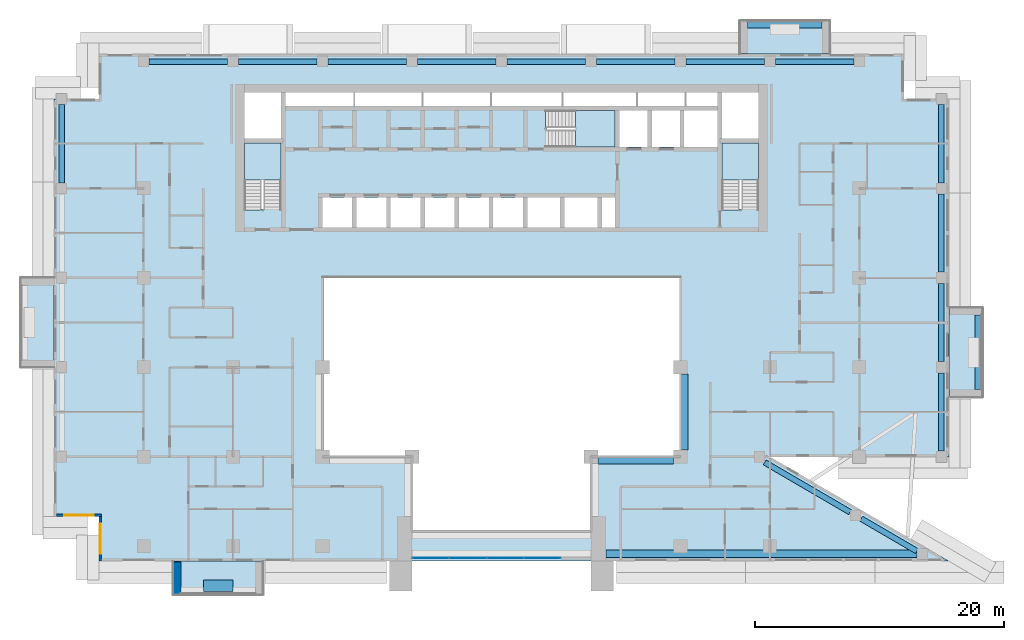
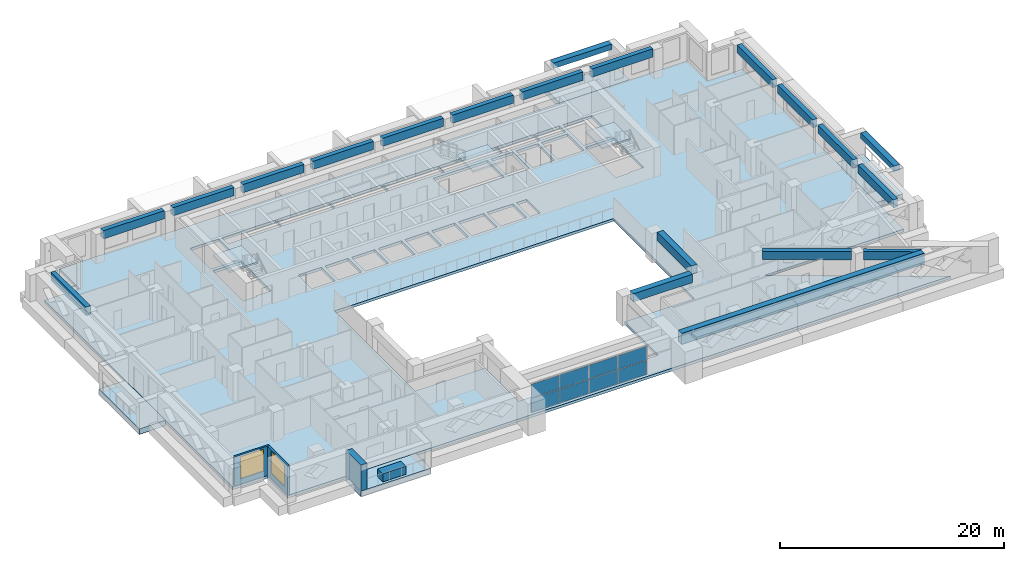
# One storey, part 5 of 19: 20 beams, 8 plates, 8 slabs, 4 walls, 2 windows, 2 openings, 4 elements without a shape of their own.
"""IFC4 building model written with IfcOpenShell, lengths in metres."""

from ifc_helpers import new_model, si_unit, direction, frame, frame_2d, origin, origin_2d, place, context, subcontext, project, spatial, polyline, rectangle, outline, extrude, source, transform, mapped, material, layer, layer_set, material_profile, profile_set, type_object, element, fill, aggregate, save


model = new_model("IFC4")

# Units and contexts
model_context = context("Model", 3, precision=1e-05, world=origin(), true_north=direction((0.0, 1.0)))
body_context = subcontext(model_context, "Body", "Model", "MODEL_VIEW")
ifc_project = project(units=[si_unit("LENGTHUNIT", "METRE"), si_unit("AREAUNIT", "SQUARE_METRE"), si_unit("VOLUMEUNIT", "CUBIC_METRE"), si_unit("PLANEANGLEUNIT", "RADIAN"), si_unit("MASSUNIT", "GRAM", prefix="KILO")], contexts=[model_context])

# Site, building, storey
site_placement = place(None, origin())
site = spatial("IfcSite", under=ifc_project, at=site_placement, CompositionType="ELEMENT")
building_placement = place(site_placement, origin())
building = spatial("IfcBuilding", under=site, at=building_placement, Name="Saffron Iwan Residences", CompositionType="ELEMENT")
storey_placement = place(building_placement, frame((0.0, 0.0, 120.0)))
storey = spatial("IfcBuildingStorey", under=building, at=storey_placement, Name="L31", CompositionType="ELEMENT", Elevation=120.0)

# Beams
ifc_material_1 = material(Name="Concrete C50/60", Category="concrete")
ifc_material_profile_1 = material_profile(ifc_material_1, rectangle(XDim=0.449951171875, YDim=0.89990234375, at=origin_2d()), Name="RC 450x900")
ifc_profile_set_1 = profile_set([ifc_material_profile_1], Name="Concrete C50/60")
beam_type_1 = type_object("IfcBeamType", Name="SPANDREL BEAM RC 450x900 C50/60 TOP 3200", PredefinedType="SPANDREL", material=ifc_profile_set_1)
shared_shape_1 = source(origin(), body_context, "Body", "SweptSolid", [
    extrude(rectangle(XDim=0.449951171875, YDim=0.89990234375, at=origin_2d()), origin(), (0.0, 0.0, 1.0), 5.184814453125),
])
beam_1_placement = place(storey_placement, frame((79.34765625, 43.019287109375, 2.75), z_axis=(0.86377206948, -0.503882736345, 0.0), x_axis=(0.503882736345, 0.86377206948, 0.0)))
element("IfcBeam", 1, at=beam_1_placement, inside=storey, type_object=beam_type_1, Name="Spandrel beam", PredefinedType="SPANDREL", context=body_context, shape_type="MappedRepresentation", body=[
    mapped(shared_shape_1, transform((0.0, 0.0, 0.0))),
])
shared_shape_2 = source(origin(), body_context, "Body", "SweptSolid", [
    extrude(rectangle(XDim=0.449951171875, YDim=0.89990234375, at=origin_2d()), origin(), (0.0, 0.0, 1.0), 7.9501953125),
])
beam_2_placement = place(storey_placement, frame((71.58056640625, 47.550048828125, 2.75), z_axis=(0.863778900898, -0.503871025524, 0.0), x_axis=(0.503871025524, 0.863778900898, 0.0)))
element("IfcBeam", 2, at=beam_2_placement, inside=storey, type_object=beam_type_1, Name="Spandrel beam", PredefinedType="SPANDREL", context=body_context, shape_type="MappedRepresentation", body=[
    mapped(shared_shape_2, transform((0.0, 0.0, 0.0))),
])
shared_shape_3 = source(origin(), body_context, "Body", "SweptSolid", [
    extrude(rectangle(XDim=0.449951171875, YDim=0.89990234375, at=origin_2d()), origin(), (0.0, 0.0, 1.0), 6.300048828125),
])
for number, where, z_axis, x_axis, name in (
    (3, (85.800048828125, 54.75, 2.75), (0.0, -1.0, 0.0), (1.0, 0.0, 0.0), "Spandrel beam"),
    (4, (85.800048828125, 61.949951171875, 2.75), (0.0, -1.0, 0.0), (1.0, 0.0, 0.0), "Spandrel beam"),
    (5, (15.0, 70.050048828125, 2.75), (0.0, 1.0, 0.0), (-1.0, 0.0, 0.0), "Spandrel beam"),
    (6, (85.800048828125, 76.35009765625, 2.75), (0.0, -1.0, 0.0), (1.0, 0.0, 0.0), "Spandrel beam"),
    (7, (22.050048828125, 79.800048828125, 2.75), (1.0, 0.0, 0.0), (0.0, 1.0, 0.0), "Spandrel beam"),
    (8, (29.25, 79.800048828125, 2.75), (1.0, 0.0, 0.0), (0.0, 1.0, 0.0), "Spandrel beam"),
    (9, (36.449951171875, 79.800048828125, 2.75), (1.0, 0.0, 0.0), (0.0, 1.0, 0.0), "Spandrel beam"),
    (10, (43.64990234375, 79.800048828125, 2.75), (1.0, 0.0, 0.0), (0.0, 1.0, 0.0), "Spandrel beam"),
    (11, (58.050048828125, 79.800048828125, 2.75), (1.0, 0.0, 0.0), (0.0, 1.0, 0.0), "Spandrel beam"),
    (12, (65.25, 79.800048828125, 2.75), (1.0, 0.0, 0.0), (0.0, 1.0, 0.0), "Spandrel beam"),
    (13, (72.449951171875, 79.800048828125, 2.75), (1.0, 0.0, 0.0), (0.0, 1.0, 0.0), "Spandrel beam"),
):
    element("IfcBeam", number, at=place(storey_placement, frame(where, z_axis=z_axis, x_axis=x_axis)), inside=storey, type_object=beam_type_1, Name=name, PredefinedType="SPANDREL", context=body_context, shape_type="MappedRepresentation", body=[
        mapped(shared_shape_3, transform((0.0, 0.0, 0.0))),
    ])
shared_shape_4 = source(origin(), body_context, "Body", "SweptSolid", [
    extrude(rectangle(XDim=0.449951171875, YDim=0.89990234375, at=origin_2d()), origin(), (0.0, 0.0, 1.0), 6.2998046875),
])
for number, where, z_axis, x_axis, name in (
    (14, (85.800048828125, 69.14990234375, 2.75), (0.0, -1.0, 0.0), (1.0, 0.0, 0.0), "Spandrel beam"),
    (15, (50.85009765625, 79.800048828125, 2.75), (1.0, 0.0, 0.0), (0.0, 1.0, 0.0), "Spandrel beam"),
):
    element("IfcBeam", number, at=place(storey_placement, frame(where, z_axis=z_axis, x_axis=x_axis)), inside=storey, type_object=beam_type_1, Name=name, PredefinedType="SPANDREL", context=body_context, shape_type="MappedRepresentation", body=[
        mapped(shared_shape_4, transform((0.0, 0.0, 0.0))),
    ])
ifc_material_profile_2 = material_profile(ifc_material_1, rectangle(XDim=0.60009765625, YDim=1.199951171875, at=origin_2d()), Name="RC 600x1200")
ifc_profile_set_2 = profile_set([ifc_material_profile_2], Name="Concrete C50/60")
beam_type_2 = type_object("IfcBeamType", Name="LINTEL BEAM RC 600x1200 C50/60 TOP 3200", PredefinedType="LINTEL", material=ifc_profile_set_2)
shared_shape_5 = source(origin(), body_context, "Body", "SweptSolid", [
    extrude(rectangle(XDim=0.60009765625, YDim=1.199951171875, at=origin_2d()), origin(), (0.0, 0.0, 1.0), 25.026123046875),
])
beam_3_placement = place(storey_placement, frame((83.826171875, 40.199951171875, 2.60009765625), z_axis=(-1.0, 0.0, 0.0), x_axis=(0.0, -1.0, 0.0)))
element("IfcBeam", 16, at=beam_3_placement, inside=storey, type_object=beam_type_2, Name="Lintel beam over the iwan", PredefinedType="LINTEL", context=body_context, shape_type="MappedRepresentation", body=[
    mapped(shared_shape_5, transform((0.0, 0.0, 0.0))),
])
ifc_material_profile_3 = material_profile(ifc_material_1, rectangle(XDim=0.60009765625, YDim=0.89990234375, at=origin_2d()), Name="RC 600x900")
ifc_profile_set_3 = profile_set([ifc_material_profile_3], Name="Concrete C50/60")
beam_type_3 = type_object("IfcBeamType", Name="BEAM RC 600x900 C50/60 TOP 3200", PredefinedType="BEAM", material=ifc_profile_set_3)
shared_shape_6 = source(origin(), body_context, "Body", "SweptSolid", [
    extrude(rectangle(XDim=0.60009765625, YDim=0.89990234375, at=origin_2d()), origin(), (0.0, 0.0, 1.0), 6.099853515625),
])
beam_4_placement = place(storey_placement, frame((65.10009765625, 54.64990234375, 2.75), z_axis=(0.0, -1.0, 0.0), x_axis=(1.0, 0.0, 0.0)))
element("IfcBeam", 17, at=beam_4_placement, inside=storey, type_object=beam_type_3, Name="Atrium edge beam", PredefinedType="BEAM", context=body_context, shape_type="MappedRepresentation", body=[
    mapped(shared_shape_6, transform((0.0, 0.0, 0.0))),
])
shared_shape_7 = source(origin(), body_context, "Body", "SweptSolid", [
    extrude(rectangle(XDim=0.60009765625, YDim=0.89990234375, at=origin_2d()), origin(), (0.0, 0.0, 1.0), 6.10009765625),
])
beam_5_placement = place(storey_placement, frame((64.25, 47.699951171875, 2.75), z_axis=(-1.0, 0.0, 0.0), x_axis=(0.0, -1.0, 0.0)))
element("IfcBeam", 18, at=beam_5_placement, inside=storey, type_object=beam_type_3, Name="Atrium edge beam", PredefinedType="BEAM", context=body_context, shape_type="MappedRepresentation", body=[
    mapped(shared_shape_7, transform((0.0, 0.0, 0.0))),
])
ifc_material_2 = material(Name="Concrete C50/60 white painted", Category="concrete")
ifc_material_profile_4 = material_profile(ifc_material_2, rectangle(XDim=0.60009765625, YDim=0.60009765625, at=origin_2d()), Name="BALCONY FASCIA BEAM 600 x 600")
ifc_profile_set_4 = profile_set([ifc_material_profile_4], Name="Concrete C50/60 white painted")
beam_type_4 = type_object("IfcBeamType", Name="BALCONY FASCIA BEAM 600 x 600", PredefinedType="BEAM", material=ifc_profile_set_4)
shared_shape_8 = source(origin(), body_context, "Body", "SweptSolid", [
    extrude(rectangle(XDim=0.60009765625, YDim=0.60009765625, at=origin_2d()), origin(), (0.0, 0.0, 1.0), 6.0),
])
for number, where, z_axis, x_axis, name in (
    (19, (88.800048828125, 53.39990234375, 2.550048828125), (0.0, 1.0, 0.0), (-1.0, 0.0, 0.0), "Balcony fascia beam L31 F2-0"),
    (20, (76.199951171875, 82.800048828125, 2.550048828125), (-1.0, 0.0, 0.0), (0.0, -1.0, 0.0), "Balcony fascia beam L31 F5-0"),
):
    element("IfcBeam", number, at=place(storey_placement, frame(where, z_axis=z_axis, x_axis=x_axis)), inside=storey, type_object=beam_type_4, Name=name, PredefinedType="BEAM", context=body_context, shape_type="MappedRepresentation", body=[
        mapped(shared_shape_8, transform((0.0, 0.0, 0.0))),
    ])

# Slabs
ifc_layer_1 = layer(ifc_material_2, 0.60009765625)
ifc_layer_set_1 = layer_set([ifc_layer_1], Name="Concrete C50/60 white painted")
slab_type_1 = type_object("IfcSlabType", Name="BALCONY FRAME SLAB 600", PredefinedType="FLOOR", material=ifc_layer_set_1)
slab_1_placement = place(storey_placement, frame((0.0, 0.0, -0.60009765625)))
element("IfcSlab", 21, at=slab_1_placement, inside=storey, type_object=slab_type_1, Name="Balcony frame slab L31 F2-0", PredefinedType="FLOOR", context=body_context, shape_type="SweptSolid", body=[
    extrude(outline(polyline([(89.10009765625, 52.800048828125), (89.10009765625, 60.0), (86.39990234375, 60.0), (86.39990234375, 52.800048828125), (89.10009765625, 52.800048828125)])), origin(), (0.0, 0.0, 1.0), 0.60009765625),
])
slab_2_placement = place(storey_placement, frame((0.0, 0.0, -0.60009765625)))
element("IfcSlab", 22, at=slab_2_placement, inside=storey, type_object=slab_type_1, Name="Balcony frame slab L31 F5-0", PredefinedType="FLOOR", context=body_context, shape_type="SweptSolid", body=[
    extrude(outline(polyline([(76.800048828125, 83.10009765625), (69.60009765625, 83.10009765625), (69.60009765625, 80.39990234375), (76.800048828125, 80.39990234375), (76.800048828125, 83.10009765625)])), origin(), (0.0, 0.0, 1.0), 0.60009765625),
])
slab_3_placement = place(storey_placement, frame((0.0, 0.0, -0.60009765625)))
element("IfcSlab", 23, at=slab_3_placement, inside=storey, type_object=slab_type_1, Name="Balcony frame slab L31 F8-0", PredefinedType="FLOOR", context=body_context, shape_type="SweptSolid", body=[
    extrude(outline(polyline([(11.699951171875, 62.39990234375), (11.699951171875, 55.199951171875), (14.39990234375, 55.199951171875), (14.39990234375, 62.39990234375), (11.699951171875, 62.39990234375)])), origin(), (0.0, 0.0, 1.0), 0.60009765625),
])
slab_4_placement = place(storey_placement, frame((0.0, 0.0, -0.60009765625)))
element("IfcSlab", 24, at=slab_4_placement, inside=storey, type_object=slab_type_1, Name="Balcony frame slab L31 11-0", PredefinedType="FLOOR", context=body_context, shape_type="SweptSolid", body=[
    extrude(outline(polyline([(24.0, 36.89990234375), (31.199951171875, 36.89990234375), (31.199951171875, 39.60009765625), (24.0, 39.60009765625), (24.0, 36.89990234375)])), origin(), (0.0, 0.0, 1.0), 0.60009765625),
])
ifc_material_3 = material(Name="Concrete C40/50", Category="concrete")
ifc_layer_2 = layer(ifc_material_3, 0.300048828125)
ifc_layer_set_2 = layer_set([ifc_layer_2], Name="Concrete C40/50")
slab_type_2 = type_object("IfcSlabType", Name="PT PLATE 300 C40/50", PredefinedType="FLOOR", material=ifc_layer_set_2)
slab_5_placement = place(storey_placement, frame((0.0, 0.0, -0.300048828125)))
element("IfcSlab", 25, at=slab_5_placement, inside=storey, type_object=slab_type_2, Name="Floor slab L31", PredefinedType="FLOOR", context=body_context, shape_type="SweptSolid", body=[
    extrude(outline(polyline([(14.39990234375, 43.199951171875), (14.39990234375, 76.800048828125), (18.0, 76.800048828125), (18.0, 80.39990234375), (82.800048828125, 80.39990234375), (82.800048828125, 76.800048828125), (86.39990234375, 76.800048828125), (86.39990234375, 48.0), (72.0, 48.0), (86.39990234375, 39.60009765625), (18.0, 39.60009765625), (18.0, 43.199951171875), (14.39990234375, 43.199951171875)]), holes=[polyline([(64.800048828125, 48.0), (64.800048828125, 62.39990234375), (36.0, 62.39990234375), (36.0, 48.0), (43.199951171875, 48.0), (43.199951171875, 42.0), (57.60009765625, 42.0), (57.60009765625, 48.0), (64.800048828125, 48.0)]), polyline([(38.375, 68.875), (35.97509765625, 68.875), (35.97509765625, 66.449951171875), (38.375, 66.449951171875), (38.375, 68.875)]), polyline([(41.125, 66.449951171875), (41.125, 68.875), (38.72509765625, 68.875), (38.72509765625, 66.449951171875), (41.125, 66.449951171875)]), polyline([(43.875, 66.449951171875), (43.875, 68.875), (41.47509765625, 68.875), (41.47509765625, 66.449951171875), (43.875, 66.449951171875)]), polyline([(46.625, 68.875), (44.22509765625, 68.875), (44.22509765625, 66.449951171875), (46.625, 66.449951171875), (46.625, 68.875)]), polyline([(49.375, 66.449951171875), (49.375, 68.875), (46.97509765625, 68.875), (46.97509765625, 66.449951171875), (49.375, 66.449951171875)]), polyline([(52.125, 66.449951171875), (52.125, 68.875), (49.72509765625, 68.875), (49.72509765625, 66.449951171875), (52.125, 66.449951171875)]), polyline([(29.699951171875, 73.25), (29.699951171875, 67.949951171875), (29.699951171875, 67.8505859375), (31.10009765625, 67.8505859375), (31.10009765625, 67.949951171875), (32.64990234375, 67.949951171875), (32.64990234375, 73.25), (29.699951171875, 73.25)]), polyline([(32.64990234375, 73.60009765625), (32.64990234375, 77.300048828125), (29.699951171875, 77.300048828125), (29.699951171875, 73.60009765625), (32.64990234375, 73.60009765625)]), polyline([(38.5, 76.22509765625), (38.5, 77.300048828125), (33.0, 77.300048828125), (33.0, 76.22509765625), (38.5, 76.22509765625)]), polyline([(44.0, 77.300048828125), (38.60009765625, 77.300048828125), (38.60009765625, 76.22509765625), (44.0, 76.22509765625), (44.0, 77.300048828125)]), polyline([(49.5, 76.22509765625), (49.5, 77.300048828125), (44.10009765625, 77.300048828125), (44.10009765625, 76.22509765625), (49.5, 76.22509765625)]), polyline([(55.25, 76.22509765625), (55.25, 77.300048828125), (49.60009765625, 77.300048828125), (49.60009765625, 76.22509765625), (55.25, 76.22509765625)]), polyline([(55.125, 68.875), (52.47509765625, 68.875), (52.47509765625, 66.449951171875), (55.125, 66.449951171875), (55.125, 68.875)]), polyline([(58.125, 66.449951171875), (58.125, 68.875), (55.47509765625, 68.875), (55.47509765625, 66.449951171875), (58.125, 66.449951171875)]), polyline([(59.550048828125, 66.449951171875), (59.550048828125, 68.875), (58.47509765625, 68.875), (58.47509765625, 66.449951171875), (59.550048828125, 66.449951171875)]), polyline([(68.14990234375, 73.25), (68.14990234375, 67.949951171875), (68.14990234375, 67.8505859375), (69.550048828125, 67.8505859375), (69.550048828125, 67.949951171875), (71.10009765625, 67.949951171875), (71.10009765625, 73.25), (68.14990234375, 73.25)]), polyline([(53.925537109375, 74.47509765625), (54.02490234375, 74.47509765625), (54.02490234375, 72.925048828125), (59.550048828125, 72.925048828125), (59.550048828125, 75.875), (54.02490234375, 75.875), (53.925537109375, 75.875), (53.925537109375, 74.47509765625)]), polyline([(62.14990234375, 72.925048828125), (62.14990234375, 75.875), (59.89990234375, 75.875), (59.89990234375, 72.925048828125), (62.14990234375, 72.925048828125)]), polyline([(64.75, 75.875), (62.5, 75.875), (62.5, 72.925048828125), (64.75, 72.925048828125), (64.75, 75.875)]), polyline([(67.800048828125, 72.925048828125), (67.800048828125, 75.875), (65.10009765625, 75.875), (65.10009765625, 72.925048828125), (67.800048828125, 72.925048828125)]), polyline([(71.10009765625, 73.60009765625), (71.10009765625, 77.300048828125), (68.14990234375, 77.300048828125), (68.14990234375, 73.60009765625), (71.10009765625, 73.60009765625)]), polyline([(61.25, 77.300048828125), (55.35009765625, 77.300048828125), (55.35009765625, 76.22509765625), (61.25, 76.22509765625), (61.25, 77.300048828125)]), polyline([(65.14990234375, 76.22509765625), (65.14990234375, 77.300048828125), (61.35009765625, 77.300048828125), (61.35009765625, 76.22509765625), (65.14990234375, 76.22509765625)]), polyline([(67.800048828125, 76.22509765625), (67.800048828125, 77.300048828125), (65.25, 77.300048828125), (65.25, 76.22509765625), (67.800048828125, 76.22509765625)])]), origin(), (0.0, 0.0, 1.0), 0.300048828125),
])

# Stair, slab
stair_type = type_object("IfcStairType", Name="Stair ST-CORE", PredefinedType="HALF_TURN_STAIR", material=ifc_material_1)
stair_1_placement = place(storey_placement, origin())
stair_1 = element("IfcStair", 26, at=stair_1_placement, inside=storey, type_object=stair_type, Name="L31 Exit Stair ST-W", PredefinedType="HALF_TURN_STAIR")
ifc_layer_3 = layer(ifc_material_1, 0.199951171875)
ifc_layer_set_3 = layer_set([ifc_layer_3], Name="Concrete C50/60")
slab_type_3 = type_object("IfcSlabType", Name="Stair landing SL-RC", PredefinedType="LANDING", material=ifc_layer_set_3)
slab_6_placement = place(storey_placement, frame((0.0, 0.0, 1.5498046875)))
slab_6 = element("IfcSlab", 27, at=slab_6_placement, type_object=slab_type_3, Name="ST-W landing 1", PredefinedType="LANDING", context=body_context, shape_type="SweptSolid", body=[
    extrude(outline(polyline([(32.64990234375, 70.280029296875), (32.64990234375, 73.25), (29.699951171875, 73.25), (29.699951171875, 70.280029296875), (32.64990234375, 70.280029296875)])), origin(), (0.0, 0.0, 1.0), 0.2001953125),
])
aggregate(stair_1, [slab_6])

stair_2_placement = place(storey_placement, origin())
stair_2 = element("IfcStair", 28, at=stair_2_placement, inside=storey, type_object=stair_type, Name="L31 Exit Stair ST-C", PredefinedType="HALF_TURN_STAIR")
slab_7_placement = place(storey_placement, frame((0.0, 0.0, 1.5498046875)))
slab_7 = element("IfcSlab", 29, at=slab_7_placement, type_object=slab_type_3, Name="ST-C landing 1", PredefinedType="LANDING", context=body_context, shape_type="SweptSolid", body=[
    extrude(outline(polyline([(56.35498046875, 72.925048828125), (59.550048828125, 72.925048828125), (59.550048828125, 75.875), (56.35498046875, 75.875), (56.35498046875, 72.925048828125)])), origin(), (0.0, 0.0, 1.0), 0.2001953125),
])
aggregate(stair_2, [slab_7])

stair_3_placement = place(storey_placement, origin())
stair_3 = element("IfcStair", 30, at=stair_3_placement, inside=storey, type_object=stair_type, Name="L31 Exit Stair ST-E", PredefinedType="HALF_TURN_STAIR")
slab_8_placement = place(storey_placement, frame((0.0, 0.0, 1.5498046875)))
slab_8 = element("IfcSlab", 31, at=slab_8_placement, type_object=slab_type_3, Name="ST-E landing 1", PredefinedType="LANDING", context=body_context, shape_type="SweptSolid", body=[
    extrude(outline(polyline([(71.10009765625, 70.280029296875), (71.10009765625, 73.25), (68.14990234375, 73.25), (68.14990234375, 70.280029296875), (71.10009765625, 70.280029296875)])), origin(), (0.0, 0.0, 1.0), 0.2001953125),
])
aggregate(stair_3, [slab_8])

# Curtain wall, plates
ifc_material_4 = material(Name="Clear glass, laminated double glazed", Category="glass")
ifc_layer_4 = layer(ifc_material_4, 0.199951171875)
ifc_layer_set_4 = layer_set([ifc_layer_4], Name="Clear glass, laminated double glazed")
curtain_wall_type = type_object("IfcCurtainWallType", Name="CW-B IWAN PORTAL", PredefinedType="NOTDEFINED", material=ifc_layer_set_4)
curtain_wall_placement = place(storey_placement, origin())
curtain_wall = element("IfcCurtainWall", 32, at=curtain_wall_placement, inside=storey, type_object=curtain_wall_type, Name="Iwan portal glazing L31.1", PredefinedType="NOTDEFINED")
ifc_layer_5 = layer(ifc_material_4, 0.028076171875)
ifc_layer_set_5 = layer_set([ifc_layer_5], Name="Clear glass, laminated double glazed")
plate_type = type_object("IfcPlateType", Name="CW-B PANEL 28", PredefinedType="CURTAIN_PANEL", material=ifc_layer_set_5)
shared_shape_9 = source(origin(), body_context, "Body", "SweptSolid", [
    extrude(rectangle(XDim=2.909912109375, YDim=0.028076171875, at=origin_2d()), origin(), (0.0, 0.0, 1.0), 1.510009765625),
])
plate_1_placement = place(storey_placement, frame((44.715087890625, 39.85009765625, 0.06005859375), z_axis=(0.0, 0.0, 1.0), x_axis=(1.0, 0.0, 0.0)))
plate_1 = element("IfcPlate", 33, at=plate_1_placement, type_object=plate_type, Name="CW-B panel 1.1", PredefinedType="CURTAIN_PANEL", context=body_context, shape_type="MappedRepresentation", body=[
    mapped(shared_shape_9, transform((0.0, 0.0, 0.0))),
])
plate_2_placement = place(storey_placement, frame((44.715087890625, 39.85009765625, 1.6298828125), z_axis=(0.0, 0.0, 1.0), x_axis=(1.0, 0.0, 0.0)))
plate_2 = element("IfcPlate", 34, at=plate_2_placement, type_object=plate_type, Name="CW-B panel 1.2", PredefinedType="CURTAIN_PANEL", context=body_context, shape_type="MappedRepresentation", body=[
    mapped(shared_shape_9, transform((0.0, 0.0, 0.0))),
])
plate_3_placement = place(storey_placement, frame((53.68505859375, 39.85009765625, 0.06005859375), z_axis=(0.0, 0.0, 1.0), x_axis=(1.0, 0.0, 0.0)))
plate_3 = element("IfcPlate", 35, at=plate_3_placement, type_object=plate_type, Name="CW-B panel 4.1", PredefinedType="CURTAIN_PANEL", context=body_context, shape_type="MappedRepresentation", body=[
    mapped(shared_shape_9, transform((0.0, 0.0, 0.0))),
])
plate_4_placement = place(storey_placement, frame((53.68505859375, 39.85009765625, 1.6298828125), z_axis=(0.0, 0.0, 1.0), x_axis=(1.0, 0.0, 0.0)))
plate_4 = element("IfcPlate", 36, at=plate_4_placement, type_object=plate_type, Name="CW-B panel 4.2", PredefinedType="CURTAIN_PANEL", context=body_context, shape_type="MappedRepresentation", body=[
    mapped(shared_shape_9, transform((0.0, 0.0, 0.0))),
])
shared_shape_10 = source(origin(), body_context, "Body", "SweptSolid", [
    extrude(rectangle(XDim=2.93994140625, YDim=0.028076171875, at=origin_2d()), origin(), (0.0, 0.0, 1.0), 1.510009765625),
])
plate_5_placement = place(storey_placement, frame((47.699951171875, 39.85009765625, 0.06005859375), z_axis=(0.0, 0.0, 1.0), x_axis=(1.0, 0.0, 0.0)))
plate_5 = element("IfcPlate", 37, at=plate_5_placement, type_object=plate_type, Name="CW-B panel 2.1", PredefinedType="CURTAIN_PANEL", context=body_context, shape_type="MappedRepresentation", body=[
    mapped(shared_shape_10, transform((0.0, 0.0, 0.0))),
])
plate_6_placement = place(storey_placement, frame((47.699951171875, 39.85009765625, 1.6298828125), z_axis=(0.0, 0.0, 1.0), x_axis=(1.0, 0.0, 0.0)))
plate_6 = element("IfcPlate", 38, at=plate_6_placement, type_object=plate_type, Name="CW-B panel 2.2", PredefinedType="CURTAIN_PANEL", context=body_context, shape_type="MappedRepresentation", body=[
    mapped(shared_shape_10, transform((0.0, 0.0, 0.0))),
])
plate_7_placement = place(storey_placement, frame((50.699951171875, 39.85009765625, 0.06005859375), z_axis=(0.0, 0.0, 1.0), x_axis=(1.0, 0.0, 0.0)))
plate_7 = element("IfcPlate", 39, at=plate_7_placement, type_object=plate_type, Name="CW-B panel 3.1", PredefinedType="CURTAIN_PANEL", context=body_context, shape_type="MappedRepresentation", body=[
    mapped(shared_shape_10, transform((0.0, 0.0, 0.0))),
])
plate_8_placement = place(storey_placement, frame((50.699951171875, 39.85009765625, 1.6298828125), z_axis=(0.0, 0.0, 1.0), x_axis=(1.0, 0.0, 0.0)))
plate_8 = element("IfcPlate", 40, at=plate_8_placement, type_object=plate_type, Name="CW-B panel 3.2", PredefinedType="CURTAIN_PANEL", context=body_context, shape_type="MappedRepresentation", body=[
    mapped(shared_shape_10, transform((0.0, 0.0, 0.0))),
])
aggregate(curtain_wall, [plate_1, plate_2, plate_5, plate_6, plate_7, plate_8, plate_3, plate_4])

# Walls
ifc_layer_6 = layer(ifc_material_2, 0.60009765625)
ifc_layer_set_6 = layer_set([ifc_layer_6], Name="Concrete C50/60 white painted")
wall_type_1 = type_object("IfcWallType", Name="BALCONY FIN 600", PredefinedType="SOLIDWALL", material=ifc_layer_set_6)
wall_1_placement = place(storey_placement, frame((24.300048828125, 39.550048828125, 0.0), z_axis=(0.0, 0.0, 1.0), x_axis=(0.0, -1.0, 0.0)))
element("IfcWall", 41, at=wall_1_placement, inside=storey, type_object=wall_type_1, Name="Balcony fin L31 11-0a", PredefinedType="SOLIDWALL", context=body_context, shape_type="SweptSolid", body=[
    extrude(rectangle(XDim=2.650146484375, YDim=0.60009765625, at=frame_2d((1.3251953125, 0.0))), origin(), (0.0, 0.0, 1.0), 2.85009765625),
])
ifc_material_5 = material(Name="Concrete C35/45 white painted", Category="concrete")
ifc_layer_7 = layer(ifc_material_5, 0.14990234375)
ifc_layer_set_7 = layer_set([ifc_layer_7], Name="Concrete C35/45 white painted")
wall_type_2 = type_object("IfcWallType", Name="BALCONY PLANTER", PredefinedType="SOLIDWALL", material=ifc_layer_set_7)
wall_2_placement = place(storey_placement, frame((26.39990234375, 37.625, 0.0), z_axis=(0.0, 0.0, 1.0), x_axis=(1.0, 0.0, 0.0)))
element("IfcWall", 42, at=wall_2_placement, inside=storey, type_object=wall_type_2, Name="PLANTER L31 11-0", PredefinedType="SOLIDWALL", context=body_context, shape_type="SweptSolid", body=[
    extrude(rectangle(XDim=2.400146484375, YDim=0.89990234375, at=frame_2d((1.2001953125, 0.0))), origin(), (0.0, 0.0, 1.0), 0.89990234375),
])

# Wall, opening, window
ifc_layer_8 = layer(ifc_material_3, 0.199951171875)
ifc_layer_set_8 = layer_set([ifc_layer_8], Name="Concrete C40/50")
wall_type_3 = type_object("IfcWallType", Name="EXTERNAL WALL 200", PredefinedType="SOLIDWALL", material=ifc_layer_set_8)
wall_3_placement = place(storey_placement, frame((14.60009765625, 43.300048828125, 0.0), z_axis=(0.0, 0.0, 1.0), x_axis=(1.0, 0.0, 0.0)))
wall_3 = element("IfcWall", 43, at=wall_3_placement, inside=storey, type_object=wall_type_3, Name="External wall L31 F9.0", PredefinedType="SOLIDWALL", context=body_context, shape_type="SweptSolid", body=[
    extrude(rectangle(XDim=3.599853515625, YDim=0.199951171875, at=frame_2d((1.7998046875, 0.0))), origin(), (0.0, 0.0, 1.0), 3.199951171875),
])
opening_1_placement = place(wall_3_placement, frame((0.60009765625, 0.0, 0.60009765625)))
opening_1 = element("IfcOpeningElement", 44, at=opening_1_placement, cuts=wall_3, Name="Opening W1", PredefinedType="OPENING", context=body_context, shape_type="SweptSolid", body=[
    extrude(rectangle(XDim=2.39990234375, YDim=2.39990234375, at=frame_2d((1.199951171875, 1.199951171875))), frame((0.0, 0.10986328125, 0.0), z_axis=(0.0, -1.0, 0.0), x_axis=(1.0, 0.0, 0.0)), (0.0, 0.0, 1.0), 0.219970703125),
])
window_type = type_object("IfcWindowType", Name="WINDOW 2400 x 2400", PartitioningType="DOUBLE_PANEL_VERTICAL", PredefinedType="WINDOW", material=ifc_material_4)
window_1_placement = place(opening_1_placement, origin())
window_1 = element("IfcWindow", 45, at=window_1_placement, inside=storey, type_object=window_type, Name="Window L31 F9.0", OverallHeight=2.39990234375, OverallWidth=2.39990234375, PartitioningType="DOUBLE_PANEL_VERTICAL", PredefinedType="WINDOW", context=body_context, shape_type="SweptSolid", body=[
    extrude(rectangle(XDim=2.39990234375, YDim=2.39990234375, at=frame_2d((1.199951171875, 1.199951171875))), frame((0.0, 0.030029296875, 0.0), z_axis=(0.0, -1.0, 0.0), x_axis=(1.0, 0.0, 0.0)), (0.0, 0.0, 1.0), 0.06005859375),
])
fill(opening_1, window_1)

wall_4_placement = place(storey_placement, frame((18.10009765625, 43.199951171875, 0.0), z_axis=(0.0, 0.0, 1.0), x_axis=(0.0, -1.0, 0.0)))
wall_4 = element("IfcWall", 46, at=wall_4_placement, inside=storey, type_object=wall_type_3, Name="External wall L31 F10.0", PredefinedType="SOLIDWALL", context=body_context, shape_type="SweptSolid", body=[
    extrude(rectangle(XDim=3.599853515625, YDim=0.199951171875, at=frame_2d((1.7998046875, 0.0))), origin(), (0.0, 0.0, 1.0), 3.199951171875),
])
opening_2_placement = place(wall_4_placement, frame((0.60009765625, 0.0, 0.60009765625)))
opening_2 = element("IfcOpeningElement", 47, at=opening_2_placement, cuts=wall_4, Name="Opening W1", PredefinedType="OPENING", context=body_context, shape_type="SweptSolid", body=[
    extrude(rectangle(XDim=2.39990234375, YDim=2.39990234375, at=frame_2d((1.199951171875, 1.199951171875))), frame((0.0, 0.10986328125, 0.0), z_axis=(0.0, -1.0, 0.0), x_axis=(1.0, 0.0, 0.0)), (0.0, 0.0, 1.0), 0.219970703125),
])
window_2_placement = place(opening_2_placement, origin())
window_2 = element("IfcWindow", 48, at=window_2_placement, inside=storey, type_object=window_type, Name="Window L31 F10.0", OverallHeight=2.39990234375, OverallWidth=2.39990234375, PartitioningType="DOUBLE_PANEL_VERTICAL", PredefinedType="WINDOW", context=body_context, shape_type="SweptSolid", body=[
    extrude(rectangle(XDim=2.39990234375, YDim=2.39990234375, at=frame_2d((1.199951171875, 1.199951171875))), frame((0.0, 0.030029296875, 0.0), z_axis=(0.0, -1.0, 0.0), x_axis=(1.0, 0.0, 0.0)), (0.0, 0.0, 1.0), 0.06005859375),
])
fill(opening_2, window_2)

save(model, "model.ifc")
